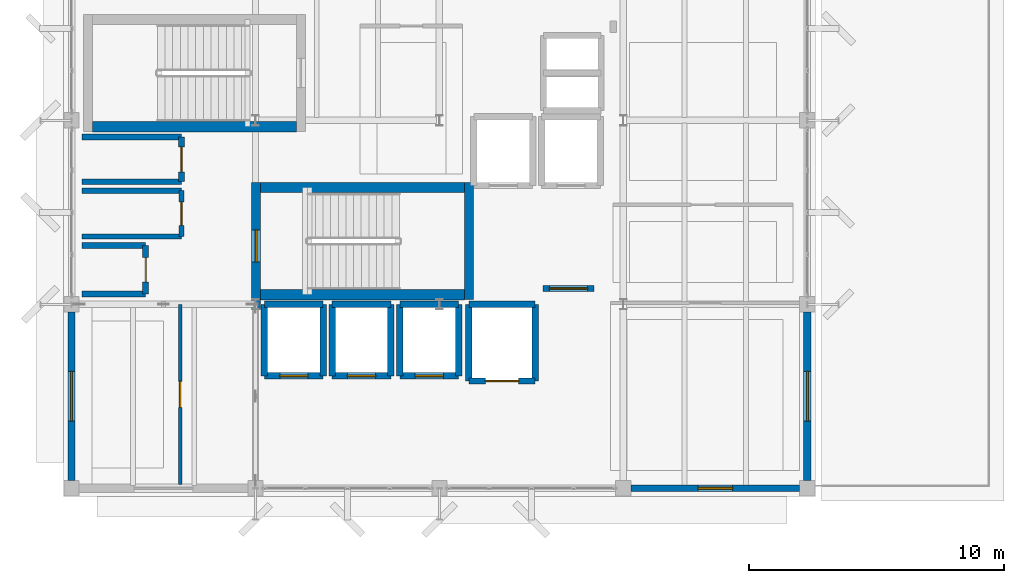
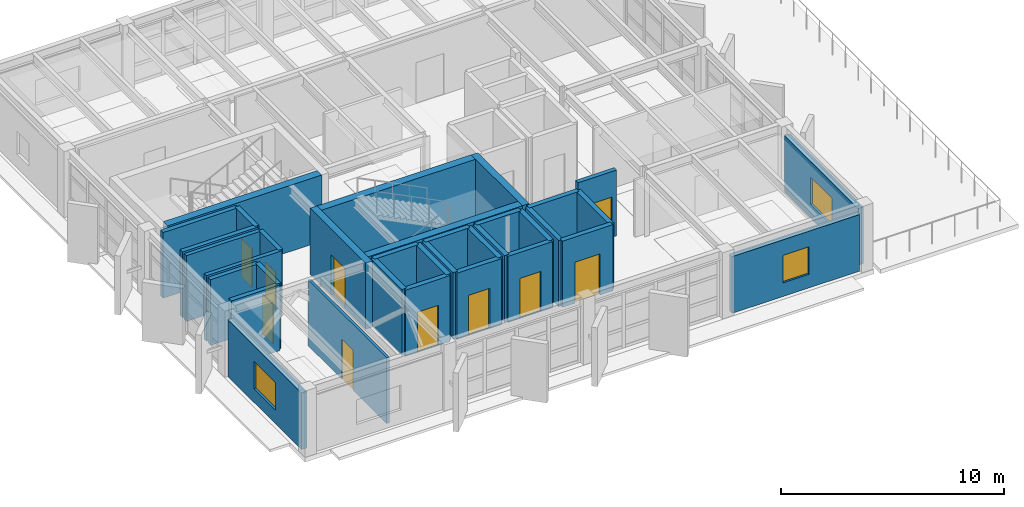
# One storey, part 13 of 19: 35 walls, 10 doors, 3 windows, 13 openings.
"""IFC4 building model written with IfcOpenShell, lengths in metres."""

from ifc_helpers import new_model, si_unit, direction, frame, frame_2d, origin, place, context, subcontext, project, spatial, rectangle, extrude, material, layer, layer_set, type_object, element, fill, save


model = new_model("IFC4")

# Units and contexts
model_context = context("Model", 3, precision=1e-05, world=origin(), true_north=direction((0.0, 1.0)))
body_context = subcontext(model_context, "Body", "Model", "MODEL_VIEW")
ifc_project = project(units=[si_unit("LENGTHUNIT", "METRE"), si_unit("AREAUNIT", "SQUARE_METRE"), si_unit("VOLUMEUNIT", "CUBIC_METRE"), si_unit("PLANEANGLEUNIT", "RADIAN"), si_unit("MASSUNIT", "GRAM", prefix="KILO")], contexts=[model_context])

# Site, building, storey
site_placement = place(None, origin())
site = spatial("IfcSite", under=ifc_project, at=site_placement, CompositionType="ELEMENT")
building_placement = place(site_placement, origin())
building = spatial("IfcBuilding", under=site, at=building_placement, Name="Kandorven Conservatory and Botanical Research Centre", CompositionType="ELEMENT")
storey_placement = place(building_placement, frame((0.0, 0.0, 28.800048828125)))
storey = spatial("IfcBuildingStorey", under=building, at=storey_placement, Name="L07", CompositionType="ELEMENT", Elevation=28.800048828125)

# Walls
ifc_material_1 = material(Name="Concrete C40/50 (M50)", Category="concrete")
ifc_layer_1 = layer(ifc_material_1, 0.39990234375)
ifc_layer_set_1 = layer_set([ifc_layer_1], Name="Concrete C40/50 (M50)")
wall_type_1 = type_object("IfcWallType", Name="Wall_CW-RC-1", PredefinedType="SHEAR", material=ifc_layer_set_1)
for number, where, z_axis, x_axis, name in (
    (1, (13.39990234375, 13.574951171875, 0.0), (0.0, 0.0, 1.0), (1.0, 0.0, 0.0), "Core stair shear wall CW-RC-1 ST-T1 L07 side A"),
    (2, (13.39990234375, 17.77490234375, 0.0), (0.0, 0.0, 1.0), (1.0, 0.0, 0.0), "Core stair shear wall CW-RC-1 ST-T1 L07 side B"),
    (3, (14.800048828125, 20.155029296875, 0.0), (0.0, 0.0, 1.0), (-1.0, 0.0, 0.0), "Core stair shear wall CW-RC-1 ST-T2 L07 side B"),
):
    element("IfcWall", number, at=place(storey_placement, frame(where, z_axis=z_axis, x_axis=x_axis)), inside=storey, type_object=wall_type_1, Name=name, PredefinedType="SHEAR", context=body_context, shape_type="SweptSolid", body=[
        extrude(rectangle(XDim=7.97998046875, YDim=0.39990234375, at=frame_2d((3.989990234375, 0.0))), origin(), (0.0, 0.0, 1.0), 3.619873046875),
    ])

# Wall, opening, door
ifc_material_2 = material(Name="Concrete C40/50 (M50)", Category="concrete")
ifc_layer_2 = layer(ifc_material_2, 0.35009765625)
ifc_layer_set_2 = layer_set([ifc_layer_2], Name="Concrete C40/50 (M50)")
wall_type_2 = type_object("IfcWallType", Name="Wall_CW-RC-2", PredefinedType="SHEAR", material=ifc_layer_set_2)
wall_1_placement = place(storey_placement, frame((13.22509765625, 13.0, 0.0), z_axis=(0.0, 0.0, 1.0), x_axis=(0.0, 1.0, 0.0)))
wall_1 = element("IfcWall", 4, at=wall_1_placement, inside=storey, type_object=wall_type_2, Name="Core stair shear wall CW-RC-2 ST-T1 L07 entry", PredefinedType="SHEAR", context=body_context, shape_type="SweptSolid", body=[
    extrude(rectangle(XDim=4.969970703125, YDim=0.35009765625, at=frame_2d((2.48486328125, 0.0))), origin(), (0.0, 0.0, 1.0), 3.619873046875),
])
opening_1_placement = place(wall_1_placement, frame((1.860107421875, 0.0, 0.0)))
opening_1 = element("IfcOpeningElement", 5, at=opening_1_placement, cuts=wall_1, Name="Opening FD-1", PredefinedType="OPENING", context=body_context, shape_type="SweptSolid", body=[
    extrude(rectangle(XDim=1.25, YDim=2.199951171875, at=frame_2d((0.625, 1.10009765625))), frame((0.0, 0.18505859375, 0.0), z_axis=(0.0, -1.0, 0.0), x_axis=(1.0, 0.0, 0.0)), (0.0, 0.0, 1.0), 0.3701171875),
])
ifc_material_3 = material(Name="Galvanised hollow steel fire door assembly", Category="steel")
door_type_1 = type_object("IfcDoorType", Name="Door_FD-1", OperationType="NOTDEFINED", PredefinedType="DOOR", material=ifc_material_3)
door_1_placement = place(opening_1_placement, origin())
door_1 = element("IfcDoor", 6, at=door_1_placement, inside=storey, type_object=door_type_1, Name="Exit stair fire door FD-1 ST-T1 L07", OperationType="SINGLE_SWING_RIGHT", OverallHeight=2.199951171875, OverallWidth=1.25, PredefinedType="DOOR", context=body_context, shape_type="SweptSolid", body=[
    extrude(rectangle(XDim=1.25, YDim=2.199951171875, at=frame_2d((0.625, 1.10009765625))), frame((0.0, 0.02490234375, 0.0), z_axis=(0.0, -1.0, 0.0), x_axis=(1.0, 0.0, 0.0)), (0.0, 0.0, 1.0), 0.050048828125),
])
fill(opening_1, door_1)

# Wall
wall_2_placement = place(storey_placement, frame((21.554931640625, 13.3798828125, 0.0), z_axis=(0.0, 0.0, 1.0), x_axis=(0.0, 1.0, 0.0)))
element("IfcWall", 7, at=wall_2_placement, inside=storey, type_object=wall_type_2, Name="Core stair shear wall CW-RC-2 ST-T1 L07 far", PredefinedType="SHEAR", context=body_context, shape_type="SweptSolid", body=[
    extrude(rectangle(XDim=4.590087890625, YDim=0.35009765625, at=frame_2d((2.294921875, 0.0))), origin(), (0.0, 0.0, 1.0), 3.619873046875),
])

# Wall, opening, door
wall_3_placement = place(storey_placement, frame((13.550048828125, 10.39990234375, 0.0), z_axis=(0.0, 0.0, 1.0), x_axis=(1.0, 0.0, 0.0)))
wall_3 = element("IfcWall", 8, at=wall_3_placement, inside=storey, type_object=wall_type_2, Name="Lift shaft wall PL-1 L07 S", PredefinedType="SHEAR", context=body_context, shape_type="SweptSolid", body=[
    extrude(rectangle(XDim=2.300048828125, YDim=0.25, at=frame_2d((1.14990234375, 0.0))), origin(), (0.0, 0.0, 1.0), 3.619873046875),
])
opening_2_placement = place(wall_3_placement, frame((0.60009765625, 0.0, 0.0)))
opening_2 = element("IfcOpeningElement", 9, at=opening_2_placement, cuts=wall_3, Name="Opening LD-01", PredefinedType="OPENING", context=body_context, shape_type="SweptSolid", body=[
    extrude(rectangle(XDim=1.10009765625, YDim=2.199951171875, at=frame_2d((0.550048828125, 1.10009765625))), frame((0.0, 0.135009765625, 0.0), z_axis=(0.0, -1.0, 0.0), x_axis=(1.0, 0.0, 0.0)), (0.0, 0.0, 1.0), 0.27001953125),
])
ifc_material_4 = material(Name="Anodised aluminium sliding landing door", Category="aluminium")
door_type_2 = type_object("IfcDoorType", Name="Door_LD-01", OperationType="DOUBLE_DOOR_SLIDING", PredefinedType="DOOR", material=ifc_material_4)
door_2_placement = place(opening_2_placement, origin())
door_2 = element("IfcDoor", 10, at=door_2_placement, inside=storey, type_object=door_type_2, Name="Lift landing sliding door LD-01 (PL-1 L07)", OperationType="DOUBLE_DOOR_SLIDING", OverallHeight=2.199951171875, OverallWidth=1.10009765625, PredefinedType="DOOR", context=body_context, shape_type="SweptSolid", body=[
    extrude(rectangle(XDim=1.10009765625, YDim=2.199951171875, at=frame_2d((0.550048828125, 1.10009765625))), frame((0.0, 0.02490234375, 0.0), z_axis=(0.0, -1.0, 0.0), x_axis=(1.0, 0.0, 0.0)), (0.0, 0.0, 1.0), 0.050048828125),
])
fill(opening_2, door_2)

# Walls
wall_4_placement = place(storey_placement, frame((13.550048828125, 13.199951171875, 0.0), z_axis=(0.0, 0.0, 1.0), x_axis=(1.0, 0.0, 0.0)))
element("IfcWall", 11, at=wall_4_placement, inside=storey, type_object=wall_type_2, Name="Lift shaft wall PL-1 L07 N", PredefinedType="SHEAR", context=body_context, shape_type="SweptSolid", body=[
    extrude(rectangle(XDim=2.300048828125, YDim=0.25, at=frame_2d((1.14990234375, 0.0))), origin(), (0.0, 0.0, 1.0), 3.619873046875),
])
for number, where, z_axis, x_axis, name in (
    (12, (13.550048828125, 10.39990234375, 0.0), (0.0, 0.0, 1.0), (0.0, 1.0, 0.0), "Lift shaft wall PL-1 L07 W"),
    (13, (15.85009765625, 10.39990234375, 0.0), (0.0, 0.0, 1.0), (0.0, 1.0, 0.0), "Lift shaft wall PL-1 L07 E"),
):
    element("IfcWall", number, at=place(storey_placement, frame(where, z_axis=z_axis, x_axis=x_axis)), inside=storey, type_object=wall_type_2, Name=name, PredefinedType="SHEAR", context=body_context, shape_type="SweptSolid", body=[
        extrude(rectangle(XDim=2.800048828125, YDim=0.25, at=frame_2d((1.39990234375, 0.0))), origin(), (0.0, 0.0, 1.0), 3.619873046875),
    ])

# Wall, opening, door
wall_5_placement = place(storey_placement, frame((16.199951171875, 10.39990234375, 0.0), z_axis=(0.0, 0.0, 1.0), x_axis=(1.0, 0.0, 0.0)))
wall_5 = element("IfcWall", 14, at=wall_5_placement, inside=storey, type_object=wall_type_2, Name="Lift shaft wall PL-2 L07 S", PredefinedType="SHEAR", context=body_context, shape_type="SweptSolid", body=[
    extrude(rectangle(XDim=2.300048828125, YDim=0.25, at=frame_2d((1.14990234375, 0.0))), origin(), (0.0, 0.0, 1.0), 3.619873046875),
])
opening_3_placement = place(wall_5_placement, frame((0.60009765625, 0.0, 0.0)))
opening_3 = element("IfcOpeningElement", 15, at=opening_3_placement, cuts=wall_5, Name="Opening LD-01", PredefinedType="OPENING", context=body_context, shape_type="SweptSolid", body=[
    extrude(rectangle(XDim=1.10009765625, YDim=2.199951171875, at=frame_2d((0.550048828125, 1.10009765625))), frame((0.0, 0.135009765625, 0.0), z_axis=(0.0, -1.0, 0.0), x_axis=(1.0, 0.0, 0.0)), (0.0, 0.0, 1.0), 0.27001953125),
])
door_3_placement = place(opening_3_placement, origin())
door_3 = element("IfcDoor", 16, at=door_3_placement, inside=storey, type_object=door_type_2, Name="Lift landing sliding door LD-01 (PL-2 L07)", OperationType="DOUBLE_DOOR_SLIDING", OverallHeight=2.199951171875, OverallWidth=1.10009765625, PredefinedType="DOOR", context=body_context, shape_type="SweptSolid", body=[
    extrude(rectangle(XDim=1.10009765625, YDim=2.199951171875, at=frame_2d((0.550048828125, 1.10009765625))), frame((0.0, 0.02490234375, 0.0), z_axis=(0.0, -1.0, 0.0), x_axis=(1.0, 0.0, 0.0)), (0.0, 0.0, 1.0), 0.050048828125),
])
fill(opening_3, door_3)

# Walls
wall_6_placement = place(storey_placement, frame((16.199951171875, 13.199951171875, 0.0), z_axis=(0.0, 0.0, 1.0), x_axis=(1.0, 0.0, 0.0)))
element("IfcWall", 17, at=wall_6_placement, inside=storey, type_object=wall_type_2, Name="Lift shaft wall PL-2 L07 N", PredefinedType="SHEAR", context=body_context, shape_type="SweptSolid", body=[
    extrude(rectangle(XDim=2.300048828125, YDim=0.25, at=frame_2d((1.14990234375, 0.0))), origin(), (0.0, 0.0, 1.0), 3.619873046875),
])
for number, where, z_axis, x_axis, name in (
    (18, (16.199951171875, 10.39990234375, 0.0), (0.0, 0.0, 1.0), (0.0, 1.0, 0.0), "Lift shaft wall PL-2 L07 W"),
    (19, (18.5, 10.39990234375, 0.0), (0.0, 0.0, 1.0), (0.0, 1.0, 0.0), "Lift shaft wall PL-2 L07 E"),
):
    element("IfcWall", number, at=place(storey_placement, frame(where, z_axis=z_axis, x_axis=x_axis)), inside=storey, type_object=wall_type_2, Name=name, PredefinedType="SHEAR", context=body_context, shape_type="SweptSolid", body=[
        extrude(rectangle(XDim=2.800048828125, YDim=0.25, at=frame_2d((1.39990234375, 0.0))), origin(), (0.0, 0.0, 1.0), 3.619873046875),
    ])

# Wall, opening, door
wall_7_placement = place(storey_placement, frame((18.85009765625, 10.39990234375, 0.0), z_axis=(0.0, 0.0, 1.0), x_axis=(1.0, 0.0, 0.0)))
wall_7 = element("IfcWall", 20, at=wall_7_placement, inside=storey, type_object=wall_type_2, Name="Lift shaft wall PL-3 L07 S", PredefinedType="SHEAR", context=body_context, shape_type="SweptSolid", body=[
    extrude(rectangle(XDim=2.2998046875, YDim=0.25, at=frame_2d((1.14990234375, 0.0))), origin(), (0.0, 0.0, 1.0), 3.619873046875),
])
opening_4_placement = place(wall_7_placement, frame((0.60009765625, 0.0, 0.0)))
opening_4 = element("IfcOpeningElement", 21, at=opening_4_placement, cuts=wall_7, Name="Opening LD-01", PredefinedType="OPENING", context=body_context, shape_type="SweptSolid", body=[
    extrude(rectangle(XDim=1.10009765625, YDim=2.199951171875, at=frame_2d((0.550048828125, 1.10009765625))), frame((0.0, 0.135009765625, 0.0), z_axis=(0.0, -1.0, 0.0), x_axis=(1.0, 0.0, 0.0)), (0.0, 0.0, 1.0), 0.27001953125),
])
door_4_placement = place(opening_4_placement, origin())
door_4 = element("IfcDoor", 22, at=door_4_placement, inside=storey, type_object=door_type_2, Name="Lift landing sliding door LD-01 (PL-3 L07)", OperationType="DOUBLE_DOOR_SLIDING", OverallHeight=2.199951171875, OverallWidth=1.10009765625, PredefinedType="DOOR", context=body_context, shape_type="SweptSolid", body=[
    extrude(rectangle(XDim=1.10009765625, YDim=2.199951171875, at=frame_2d((0.550048828125, 1.10009765625))), frame((0.0, 0.02490234375, 0.0), z_axis=(0.0, -1.0, 0.0), x_axis=(1.0, 0.0, 0.0)), (0.0, 0.0, 1.0), 0.050048828125),
])
fill(opening_4, door_4)

# Walls
wall_8_placement = place(storey_placement, frame((18.85009765625, 13.199951171875, 0.0), z_axis=(0.0, 0.0, 1.0), x_axis=(1.0, 0.0, 0.0)))
element("IfcWall", 23, at=wall_8_placement, inside=storey, type_object=wall_type_2, Name="Lift shaft wall PL-3 L07 N", PredefinedType="SHEAR", context=body_context, shape_type="SweptSolid", body=[
    extrude(rectangle(XDim=2.2998046875, YDim=0.25, at=frame_2d((1.14990234375, 0.0))), origin(), (0.0, 0.0, 1.0), 3.619873046875),
])
for number, where, z_axis, x_axis, name in (
    (24, (18.85009765625, 10.39990234375, 0.0), (0.0, 0.0, 1.0), (0.0, 1.0, 0.0), "Lift shaft wall PL-3 L07 W"),
    (25, (21.14990234375, 10.39990234375, 0.0), (0.0, 0.0, 1.0), (0.0, 1.0, 0.0), "Lift shaft wall PL-3 L07 E"),
):
    element("IfcWall", number, at=place(storey_placement, frame(where, z_axis=z_axis, x_axis=x_axis)), inside=storey, type_object=wall_type_2, Name=name, PredefinedType="SHEAR", context=body_context, shape_type="SweptSolid", body=[
        extrude(rectangle(XDim=2.800048828125, YDim=0.25, at=frame_2d((1.39990234375, 0.0))), origin(), (0.0, 0.0, 1.0), 3.619873046875),
    ])

# Wall, opening, door
wall_9_placement = place(storey_placement, frame((21.550048828125, 10.199951171875, 0.0), z_axis=(0.0, 0.0, 1.0), x_axis=(1.0, 0.0, 0.0)))
wall_9 = element("IfcWall", 26, at=wall_9_placement, inside=storey, type_object=wall_type_2, Name="Lift shaft wall GL-1 L07 S", PredefinedType="SHEAR", context=body_context, shape_type="SweptSolid", body=[
    extrude(rectangle(XDim=2.599853515625, YDim=0.25, at=frame_2d((1.2998046875, 0.0))), origin(), (0.0, 0.0, 1.0), 3.619873046875),
])
opening_5_placement = place(wall_9_placement, frame((0.64990234375, 0.0, 0.0)))
opening_5 = element("IfcOpeningElement", 27, at=opening_5_placement, cuts=wall_9, Name="Opening LD-02", PredefinedType="OPENING", context=body_context, shape_type="SweptSolid", body=[
    extrude(rectangle(XDim=1.300048828125, YDim=2.25, at=frame_2d((0.64990234375, 1.125))), frame((0.0, 0.135009765625, 0.0), z_axis=(0.0, -1.0, 0.0), x_axis=(1.0, 0.0, 0.0)), (0.0, 0.0, 1.0), 0.27001953125),
])
ifc_material_5 = material(Name="Anodised aluminium sliding landing door", Category="aluminium")
door_type_3 = type_object("IfcDoorType", Name="Door_LD-02", OperationType="DOUBLE_DOOR_SLIDING", PredefinedType="DOOR", material=ifc_material_5)
door_5_placement = place(opening_5_placement, origin())
door_5 = element("IfcDoor", 28, at=door_5_placement, inside=storey, type_object=door_type_3, Name="Lift landing sliding door LD-02 (GL-1 L07)", OperationType="DOUBLE_DOOR_SLIDING", OverallHeight=2.25, OverallWidth=1.300048828125, PredefinedType="DOOR", context=body_context, shape_type="SweptSolid", body=[
    extrude(rectangle(XDim=1.300048828125, YDim=2.25, at=frame_2d((0.64990234375, 1.125))), frame((0.0, 0.02490234375, 0.0), z_axis=(0.0, -1.0, 0.0), x_axis=(1.0, 0.0, 0.0)), (0.0, 0.0, 1.0), 0.050048828125),
])
fill(opening_5, door_5)

# Walls
wall_10_placement = place(storey_placement, frame((21.550048828125, 13.199951171875, 0.0), z_axis=(0.0, 0.0, 1.0), x_axis=(1.0, 0.0, 0.0)))
element("IfcWall", 29, at=wall_10_placement, inside=storey, type_object=wall_type_2, Name="Lift shaft wall GL-1 L07 N", PredefinedType="SHEAR", context=body_context, shape_type="SweptSolid", body=[
    extrude(rectangle(XDim=2.599853515625, YDim=0.25, at=frame_2d((1.2998046875, 0.0))), origin(), (0.0, 0.0, 1.0), 3.619873046875),
])
for number, where, z_axis, x_axis, name in (
    (30, (21.550048828125, 10.199951171875, 0.0), (0.0, 0.0, 1.0), (0.0, 1.0, 0.0), "Lift shaft wall GL-1 L07 W"),
    (31, (24.14990234375, 10.199951171875, 0.0), (0.0, 0.0, 1.0), (0.0, 1.0, 0.0), "Lift shaft wall GL-1 L07 E"),
):
    element("IfcWall", number, at=place(storey_placement, frame(where, z_axis=z_axis, x_axis=x_axis)), inside=storey, type_object=wall_type_2, Name=name, PredefinedType="SHEAR", context=body_context, shape_type="SweptSolid", body=[
        extrude(rectangle(XDim=3.0, YDim=0.25, at=frame_2d((1.5, 0.0))), origin(), (0.0, 0.0, 1.0), 3.619873046875),
    ])

# Wall, opening, window
ifc_material_6 = material(Name="Concrete C32/40 (M40)", Category="concrete")
ifc_layer_3 = layer(ifc_material_6, 0.280029296875)
ifc_layer_set_3 = layer_set([ifc_layer_3], Name="Concrete C32/40 (M40)")
wall_type_3 = type_object("IfcWallType", Name="Wall_EW-05", PredefinedType="STANDARD", material=ifc_layer_set_3)
wall_11_placement = place(storey_placement, frame((6.0, 6.300048828125, 0.0), z_axis=(0.0, 0.0, 1.0), x_axis=(0.0, 1.0, 0.0)))
wall_11 = element("IfcWall", 32, at=wall_11_placement, inside=storey, type_object=wall_type_3, Name="Tower concrete facade wall EW-05 W L07", PredefinedType="STANDARD", context=body_context, shape_type="SweptSolid", body=[
    extrude(rectangle(XDim=6.599853515625, YDim=0.280029296875, at=frame_2d((3.2998046875, 0.0))), origin(), (0.0, 0.0, 1.0), 3.099853515625),
])
opening_6_placement = place(wall_11_placement, frame((2.324951171875, 0.0, 0.75)))
opening_6 = element("IfcOpeningElement", 33, at=opening_6_placement, cuts=wall_11, Name="Opening W-42", PredefinedType="OPENING", context=body_context, shape_type="SweptSolid", body=[
    extrude(rectangle(XDim=1.949951171875, YDim=1.5, at=frame_2d((0.97509765625, 0.75))), frame((0.0, 0.14990234375, 0.0), z_axis=(0.0, -1.0, 0.0), x_axis=(1.0, 0.0, 0.0)), (0.0, 0.0, 1.0), 0.300048828125),
])
ifc_material_7 = material(Name="Double-glazed solar-control low-E glass", Category="glass")
window_type_1 = type_object("IfcWindowType", Name="Win_W-42", PartitioningType="DOUBLE_PANEL_VERTICAL", PredefinedType="WINDOW", material=ifc_material_7)
window_1_placement = place(opening_6_placement, origin())
window_1 = element("IfcWindow", 34, at=window_1_placement, inside=storey, type_object=window_type_1, Name="Tower recessed solar window W-42", OverallHeight=1.5, OverallWidth=1.949951171875, PartitioningType="SINGLE_PANEL", PredefinedType="WINDOW", context=body_context, shape_type="SweptSolid", body=[
    extrude(rectangle(XDim=1.949951171875, YDim=1.5, at=frame_2d((0.97509765625, 0.75))), frame((0.0, 0.030029296875, 0.0), z_axis=(0.0, -1.0, 0.0), x_axis=(1.0, 0.0, 0.0)), (0.0, 0.0, 1.0), 0.06005859375),
])
fill(opening_6, window_1)

wall_12_placement = place(storey_placement, frame((34.800048828125, 6.300048828125, 0.0), z_axis=(0.0, 0.0, 1.0), x_axis=(0.0, 1.0, 0.0)))
wall_12 = element("IfcWall", 35, at=wall_12_placement, inside=storey, type_object=wall_type_3, Name="Tower concrete facade wall EW-05 E L07", PredefinedType="STANDARD", context=body_context, shape_type="SweptSolid", body=[
    extrude(rectangle(XDim=6.599853515625, YDim=0.280029296875, at=frame_2d((3.2998046875, 0.0))), origin(), (0.0, 0.0, 1.0), 3.099853515625),
])
opening_7_placement = place(wall_12_placement, frame((2.324951171875, 0.0, 0.75)))
opening_7 = element("IfcOpeningElement", 36, at=opening_7_placement, cuts=wall_12, Name="Opening W-42", PredefinedType="OPENING", context=body_context, shape_type="SweptSolid", body=[
    extrude(rectangle(XDim=1.949951171875, YDim=1.5, at=frame_2d((0.97509765625, 0.75))), frame((0.0, 0.14990234375, 0.0), z_axis=(0.0, -1.0, 0.0), x_axis=(1.0, 0.0, 0.0)), (0.0, 0.0, 1.0), 0.300048828125),
])
window_2_placement = place(opening_7_placement, origin())
window_2 = element("IfcWindow", 37, at=window_2_placement, inside=storey, type_object=window_type_1, Name="Tower recessed solar window W-42", OverallHeight=1.5, OverallWidth=1.949951171875, PartitioningType="SINGLE_PANEL", PredefinedType="WINDOW", context=body_context, shape_type="SweptSolid", body=[
    extrude(rectangle(XDim=1.949951171875, YDim=1.5, at=frame_2d((0.97509765625, 0.75))), frame((0.0, 0.030029296875, 0.0), z_axis=(0.0, -1.0, 0.0), x_axis=(1.0, 0.0, 0.0)), (0.0, 0.0, 1.0), 0.06005859375),
])
fill(opening_7, window_2)

ifc_material_8 = material(Name="Concrete C32/40 (M40)", Category="concrete")
ifc_layer_4 = layer(ifc_material_8, 0.260009765625)
ifc_layer_set_4 = layer_set([ifc_layer_4], Name="Concrete C32/40 (M40)")
wall_type_4 = type_object("IfcWallType", Name="Wall_EW-06", PredefinedType="STANDARD", material=ifc_layer_set_4)
wall_13_placement = place(storey_placement, frame((27.89990234375, 6.0, 0.0), z_axis=(0.0, 0.0, 1.0), x_axis=(1.0, 0.0, 0.0)))
wall_13 = element("IfcWall", 38, at=wall_13_placement, inside=storey, type_object=wall_type_4, Name="Tower concrete facade wall EW-06 S L07", PredefinedType="STANDARD", context=body_context, shape_type="SweptSolid", body=[
    extrude(rectangle(XDim=6.60009765625, YDim=0.260009765625, at=frame_2d((3.300048828125, 0.0))), origin(), (0.0, 0.0, 1.0), 3.099853515625),
])
opening_8_placement = place(wall_13_placement, frame((2.625, 0.0, 0.75)))
opening_8 = element("IfcOpeningElement", 39, at=opening_8_placement, cuts=wall_13, Name="Opening W-40", PredefinedType="OPENING", context=body_context, shape_type="SweptSolid", body=[
    extrude(rectangle(XDim=1.35009765625, YDim=1.5, at=frame_2d((0.675048828125, 0.75))), frame((0.0, 0.139892578125, 0.0), z_axis=(0.0, -1.0, 0.0), x_axis=(1.0, 0.0, 0.0)), (0.0, 0.0, 1.0), 0.280029296875),
])
ifc_material_9 = material(Name="Double-glazed solar-control low-E glass", Category="glass")
window_type_2 = type_object("IfcWindowType", Name="Win_W-40", PartitioningType="DOUBLE_PANEL_VERTICAL", PredefinedType="WINDOW", material=ifc_material_9)
window_3_placement = place(opening_8_placement, origin())
window_3 = element("IfcWindow", 40, at=window_3_placement, inside=storey, type_object=window_type_2, Name="Tower recessed solar window W-40", OverallHeight=1.5, OverallWidth=1.35009765625, PartitioningType="SINGLE_PANEL", PredefinedType="WINDOW", context=body_context, shape_type="SweptSolid", body=[
    extrude(rectangle(XDim=1.35009765625, YDim=1.5, at=frame_2d((0.675048828125, 0.75))), frame((0.0, 0.030029296875, 0.0), z_axis=(0.0, -1.0, 0.0), x_axis=(1.0, 0.0, 0.0)), (0.0, 0.0, 1.0), 0.06005859375),
])
fill(opening_8, window_3)

# Wall, opening, door
ifc_material_10 = material(Name="Fire-rated acoustic gypsum board partition", Category="gypsum")
ifc_layer_5 = layer(ifc_material_10, 0.139892578125)
ifc_layer_set_5 = layer_set([ifc_layer_5], Name="Fire-rated acoustic gypsum board partition")
wall_type_5 = type_object("IfcWallType", Name="Wall_IW-06", PredefinedType="PARTITIONING", material=ifc_layer_set_5)
wall_14_placement = place(storey_placement, frame((10.25, 6.14990234375, 0.0), z_axis=(0.0, 0.0, 1.0), x_axis=(0.0, 1.0, 0.0)))
wall_14 = element("IfcWall", 41, at=wall_14_placement, inside=storey, type_object=wall_type_5, Name="Interior partition wall IW-06 (Botanical Chemotaxonomy Research Laboratory L07)", PredefinedType="PARTITIONING", context=body_context, shape_type="SweptSolid", body=[
    extrude(rectangle(XDim=7.050048828125, YDim=0.139892578125, at=frame_2d((3.52490234375, 0.0))), origin(), (0.0, 0.0, 1.0), 3.599853515625),
])
opening_9_placement = place(wall_14_placement, frame((3.014892578125, 0.0, 0.0)))
opening_9 = element("IfcOpeningElement", 42, at=opening_9_placement, cuts=wall_14, Name="Opening D-21", PredefinedType="OPENING", context=body_context, shape_type="SweptSolid", body=[
    extrude(rectangle(XDim=1.02001953125, YDim=2.179931640625, at=frame_2d((0.510009765625, 1.08984375))), frame((0.0, 0.079833984375, 0.0), z_axis=(0.0, -1.0, 0.0), x_axis=(1.0, 0.0, 0.0)), (0.0, 0.0, 1.0), 0.159912109375),
])
ifc_material_11 = material(Name="Solid core acoustic teak-veneered timber leaf", Category="wood")
door_type_4 = type_object("IfcDoorType", Name="Door_D-21", OperationType="NOTDEFINED", PredefinedType="DOOR", material=ifc_material_11)
door_6_placement = place(opening_9_placement, frame((1.02001953125, 0.0, 0.0), z_axis=(0.0, 0.0, 1.0), x_axis=(-1.0, 0.0, 0.0)))
door_6 = element("IfcDoor", 43, at=door_6_placement, inside=storey, type_object=door_type_4, Name="Interior door D-21 to Botanical Chemotaxonomy Research Laboratory L07", OperationType="SINGLE_SWING_LEFT", OverallHeight=2.179931640625, OverallWidth=1.02001953125, PredefinedType="DOOR", context=body_context, shape_type="SweptSolid", body=[
    extrude(rectangle(XDim=1.02001953125, YDim=2.179931640625, at=frame_2d((0.510009765625, 1.08984375))), frame((0.0, 0.02490234375, 0.0), z_axis=(0.0, -1.0, 0.0), x_axis=(1.0, 0.0, 0.0)), (0.0, 0.0, 1.0), 0.050048828125),
])
fill(opening_9, door_6)

ifc_material_12 = material(Name="Concrete C32/40 (M40)", Category="concrete")
ifc_layer_6 = layer(ifc_material_12, 0.22509765625)
ifc_layer_set_6 = layer_set([ifc_layer_6], Name="Concrete C32/40 (M40)")
wall_type_6 = type_object("IfcWallType", Name="Wall_IW-FR-2", PredefinedType="SOLIDWALL", material=ifc_layer_set_6)
wall_15_placement = place(storey_placement, frame((24.449951171875, 13.820068359375, 0.0), z_axis=(0.0, 0.0, 1.0), x_axis=(1.0, 0.0, 0.0)))
wall_15 = element("IfcWall", 44, at=wall_15_placement, inside=storey, type_object=wall_type_6, Name="Interior fire partition wall IW-FR-2 (Firefighting Lift Lobby L07)", PredefinedType="SOLIDWALL", context=body_context, shape_type="SweptSolid", body=[
    extrude(rectangle(XDim=2.0, YDim=0.22509765625, at=frame_2d((1.0, 0.0))), origin(), (0.0, 0.0, 1.0), 3.599853515625),
])
opening_10_placement = place(wall_15_placement, frame((0.25, 0.0, 0.0)))
opening_10 = element("IfcOpeningElement", 45, at=opening_10_placement, cuts=wall_15, Name="Opening FD-3", PredefinedType="OPENING", context=body_context, shape_type="SweptSolid", body=[
    extrude(rectangle(XDim=1.5, YDim=2.199951171875, at=frame_2d((0.75, 1.10009765625))), frame((0.0, 0.12255859375, 0.0), z_axis=(0.0, -1.0, 0.0), x_axis=(1.0, 0.0, 0.0)), (0.0, 0.0, 1.0), 0.2451171875),
])
ifc_material_13 = material(Name="Galvanised hollow steel fire door assembly", Category="steel")
door_type_5 = type_object("IfcDoorType", Name="Door_FD-3", OperationType="NOTDEFINED", PredefinedType="DOOR", material=ifc_material_13)
door_7_placement = place(opening_10_placement, frame((1.5, 0.0, 0.0), z_axis=(0.0, 0.0, 1.0), x_axis=(-1.0, 0.0, 0.0)))
door_7 = element("IfcDoor", 46, at=door_7_placement, inside=storey, type_object=door_type_5, Name="Interior door FD-3 to Firefighting Lift Lobby L07", OperationType="SINGLE_SWING_LEFT", OverallHeight=2.199951171875, OverallWidth=1.5, PredefinedType="DOOR", context=body_context, shape_type="SweptSolid", body=[
    extrude(rectangle(XDim=1.5, YDim=2.199951171875, at=frame_2d((0.75, 1.10009765625))), frame((0.0, 0.02490234375, 0.0), z_axis=(0.0, -1.0, 0.0), x_axis=(1.0, 0.0, 0.0)), (0.0, 0.0, 1.0), 0.050048828125),
])
fill(opening_10, door_7)

ifc_material_14 = material(Name="Autoclaved aerated concrete blockwork masonry", Category="masonry")
ifc_layer_7 = layer(ifc_material_14, 0.22998046875)
ifc_layer_set_7 = layer_set([ifc_layer_7], Name="Autoclaved aerated concrete blockwork masonry")
wall_type_7 = type_object("IfcWallType", Name="Wall_PW-PL-1", PredefinedType="PLUMBINGWALL", material=ifc_layer_set_7)
wall_16_placement = place(storey_placement, frame((8.89990234375, 13.60009765625, 0.0), z_axis=(0.0, 0.0, 1.0), x_axis=(0.0, 1.0, 0.0)))
wall_16 = element("IfcWall", 47, at=wall_16_placement, inside=storey, type_object=wall_type_7, Name="Interior partition wall PW-PL-1 (Accessible WC L07)", PredefinedType="PLUMBINGWALL", context=body_context, shape_type="SweptSolid", body=[
    extrude(rectangle(XDim=1.89990234375, YDim=0.22998046875, at=frame_2d((0.949951171875, 0.0))), origin(), (0.0, 0.0, 1.0), 3.599853515625),
])
opening_11_placement = place(wall_16_placement, frame((0.47509765625, 0.0, 0.0)))
opening_11 = element("IfcOpeningElement", 48, at=opening_11_placement, cuts=wall_16, Name="Opening D-01", PredefinedType="OPENING", context=body_context, shape_type="SweptSolid", body=[
    extrude(rectangle(XDim=0.949951171875, YDim=2.14990234375, at=frame_2d((0.47509765625, 1.074951171875))), frame((0.0, 0.125, 0.0), z_axis=(0.0, -1.0, 0.0), x_axis=(1.0, 0.0, 0.0)), (0.0, 0.0, 1.0), 0.25),
])
ifc_material_15 = material(Name="Solid core acoustic teak-veneered timber leaf", Category="wood")
door_type_6 = type_object("IfcDoorType", Name="Door_D-01", OperationType="NOTDEFINED", PredefinedType="DOOR", material=ifc_material_15)
door_8_placement = place(opening_11_placement, origin())
door_8 = element("IfcDoor", 49, at=door_8_placement, inside=storey, type_object=door_type_6, Name="Interior door D-01 to Accessible WC L07", OperationType="SINGLE_SWING_RIGHT", OverallHeight=2.14990234375, OverallWidth=0.949951171875, PredefinedType="DOOR", context=body_context, shape_type="SweptSolid", body=[
    extrude(rectangle(XDim=0.949951171875, YDim=2.14990234375, at=frame_2d((0.47509765625, 1.074951171875))), frame((0.0, 0.02490234375, 0.0), z_axis=(0.0, -1.0, 0.0), x_axis=(1.0, 0.0, 0.0)), (0.0, 0.0, 1.0), 0.050048828125),
])
fill(opening_11, door_8)

# Walls
for number, where, z_axis, x_axis, name in (
    (50, (6.39990234375, 13.60009765625, 0.0), (0.0, 0.0, 1.0), (1.0, 0.0, 0.0), "Sanitary enclosure wall PW-PL-1 (Accessible WC L07 S)"),
    (51, (6.39990234375, 15.5, 0.0), (0.0, 0.0, 1.0), (1.0, 0.0, 0.0), "Sanitary enclosure wall PW-PL-1 (Accessible WC L07 N)"),
):
    element("IfcWall", number, at=place(storey_placement, frame(where, z_axis=z_axis, x_axis=x_axis)), inside=storey, type_object=wall_type_7, Name=name, PredefinedType="PLUMBINGWALL", context=body_context, shape_type="SweptSolid", body=[
        extrude(rectangle(XDim=2.5, YDim=0.22998046875, at=frame_2d((1.25, 0.0))), origin(), (0.0, 0.0, 1.0), 3.599853515625),
    ])

# Wall, opening, door
wall_17_placement = place(storey_placement, frame((10.300048828125, 18.0, 0.0), z_axis=(0.0, 0.0, 1.0), x_axis=(0.0, 1.0, 0.0)))
wall_17 = element("IfcWall", 52, at=wall_17_placement, inside=storey, type_object=wall_type_7, Name="Interior partition wall PW-PL-1 (Staff Male WC L07)", PredefinedType="PLUMBINGWALL", context=body_context, shape_type="SweptSolid", body=[
    extrude(rectangle(XDim=1.75, YDim=0.22998046875, at=frame_2d((0.875, 0.0))), origin(), (0.0, 0.0, 1.0), 3.599853515625),
])
opening_12_placement = place(wall_17_placement, frame((0.385009765625, 0.0, 0.0)))
opening_12 = element("IfcOpeningElement", 53, at=opening_12_placement, cuts=wall_17, Name="Opening D-12", PredefinedType="OPENING", context=body_context, shape_type="SweptSolid", body=[
    extrude(rectangle(XDim=0.97998046875, YDim=2.10009765625, at=frame_2d((0.489990234375, 1.050048828125))), frame((0.0, 0.125, 0.0), z_axis=(0.0, -1.0, 0.0), x_axis=(1.0, 0.0, 0.0)), (0.0, 0.0, 1.0), 0.25),
])
ifc_material_16 = material(Name="Solid core acoustic teak-veneered timber leaf", Category="wood")
door_type_7 = type_object("IfcDoorType", Name="Door_D-12", OperationType="NOTDEFINED", PredefinedType="DOOR", material=ifc_material_16)
door_9_placement = place(opening_12_placement, frame((0.97998046875, 0.0, 0.0), z_axis=(0.0, 0.0, 1.0), x_axis=(-1.0, 0.0, 0.0)))
door_9 = element("IfcDoor", 54, at=door_9_placement, inside=storey, type_object=door_type_7, Name="Interior door D-12 to Staff Male WC L07", OperationType="SINGLE_SWING_RIGHT", OverallHeight=2.10009765625, OverallWidth=0.97998046875, PredefinedType="DOOR", context=body_context, shape_type="SweptSolid", body=[
    extrude(rectangle(XDim=0.97998046875, YDim=2.10009765625, at=frame_2d((0.489990234375, 1.050048828125))), frame((0.0, 0.02490234375, 0.0), z_axis=(0.0, -1.0, 0.0), x_axis=(1.0, 0.0, 0.0)), (0.0, 0.0, 1.0), 0.050048828125),
])
fill(opening_12, door_9)

# Walls
for number, where, z_axis, x_axis, name in (
    (55, (6.39990234375, 18.0, 0.0), (0.0, 0.0, 1.0), (1.0, 0.0, 0.0), "Sanitary enclosure wall PW-PL-1 (Staff Male WC L07 S)"),
    (56, (6.39990234375, 19.75, 0.0), (0.0, 0.0, 1.0), (1.0, 0.0, 0.0), "Sanitary enclosure wall PW-PL-1 (Staff Male WC L07 N)"),
):
    element("IfcWall", number, at=place(storey_placement, frame(where, z_axis=z_axis, x_axis=x_axis)), inside=storey, type_object=wall_type_7, Name=name, PredefinedType="PLUMBINGWALL", context=body_context, shape_type="SweptSolid", body=[
        extrude(rectangle(XDim=3.900146484375, YDim=0.22998046875, at=frame_2d((1.9501953125, 0.0))), origin(), (0.0, 0.0, 1.0), 3.599853515625),
    ])

# Wall, opening, door
ifc_material_17 = material(Name="Autoclaved aerated concrete blockwork masonry", Category="masonry")
ifc_layer_8 = layer(ifc_material_17, 0.205078125)
ifc_layer_set_8 = layer_set([ifc_layer_8], Name="Autoclaved aerated concrete blockwork masonry")
wall_type_8 = type_object("IfcWallType", Name="Wall_PW-PL-2", PredefinedType="PLUMBINGWALL", material=ifc_layer_set_8)
wall_18_placement = place(storey_placement, frame((10.300048828125, 15.85009765625, 0.0), z_axis=(0.0, 0.0, 1.0), x_axis=(0.0, 1.0, 0.0)))
wall_18 = element("IfcWall", 57, at=wall_18_placement, inside=storey, type_object=wall_type_8, Name="Interior partition wall PW-PL-2 (Staff Female WC L07)", PredefinedType="PLUMBINGWALL", context=body_context, shape_type="SweptSolid", body=[
    extrude(rectangle(XDim=1.7998046875, YDim=0.205078125, at=frame_2d((0.89990234375, 0.0))), origin(), (0.0, 0.0, 1.0), 3.599853515625),
])
opening_13_placement = place(wall_18_placement, frame((0.43994140625, 0.0, 0.0)))
opening_13 = element("IfcOpeningElement", 58, at=opening_13_placement, cuts=wall_18, Name="Opening D-11", PredefinedType="OPENING", context=body_context, shape_type="SweptSolid", body=[
    extrude(rectangle(XDim=0.919921875, YDim=2.10009765625, at=frame_2d((0.4599609375, 1.050048828125))), frame((0.0, 0.112548828125, 0.0), z_axis=(0.0, -1.0, 0.0), x_axis=(1.0, 0.0, 0.0)), (0.0, 0.0, 1.0), 0.22509765625),
])
ifc_material_18 = material(Name="Solid core acoustic teak-veneered timber leaf", Category="wood")
door_type_8 = type_object("IfcDoorType", Name="Door_D-11", OperationType="NOTDEFINED", PredefinedType="DOOR", material=ifc_material_18)
door_10_placement = place(opening_13_placement, origin())
door_10 = element("IfcDoor", 59, at=door_10_placement, inside=storey, type_object=door_type_8, Name="Interior door D-11 to Staff Female WC L07", OperationType="SINGLE_SWING_LEFT", OverallHeight=2.10009765625, OverallWidth=0.919921875, PredefinedType="DOOR", context=body_context, shape_type="SweptSolid", body=[
    extrude(rectangle(XDim=0.919921875, YDim=2.10009765625, at=frame_2d((0.4599609375, 1.050048828125))), frame((0.0, 0.02490234375, 0.0), z_axis=(0.0, -1.0, 0.0), x_axis=(1.0, 0.0, 0.0)), (0.0, 0.0, 1.0), 0.050048828125),
])
fill(opening_13, door_10)

# Walls
for number, where, z_axis, x_axis, name in (
    (60, (6.39990234375, 15.85009765625, 0.0), (0.0, 0.0, 1.0), (1.0, 0.0, 0.0), "Sanitary enclosure wall PW-PL-2 (Staff Female WC L07 S)"),
    (61, (6.39990234375, 17.64990234375, 0.0), (0.0, 0.0, 1.0), (1.0, 0.0, 0.0), "Sanitary enclosure wall PW-PL-2 (Staff Female WC L07 N)"),
):
    element("IfcWall", number, at=place(storey_placement, frame(where, z_axis=z_axis, x_axis=x_axis)), inside=storey, type_object=wall_type_8, Name=name, PredefinedType="PLUMBINGWALL", context=body_context, shape_type="SweptSolid", body=[
        extrude(rectangle(XDim=3.900146484375, YDim=0.205078125, at=frame_2d((1.9501953125, 0.0))), origin(), (0.0, 0.0, 1.0), 3.599853515625),
    ])

save(model, "model.ifc")
